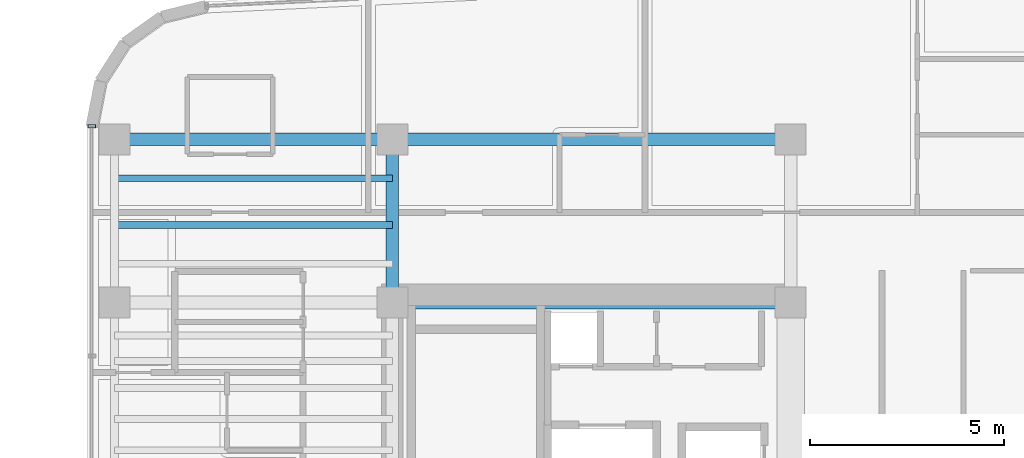
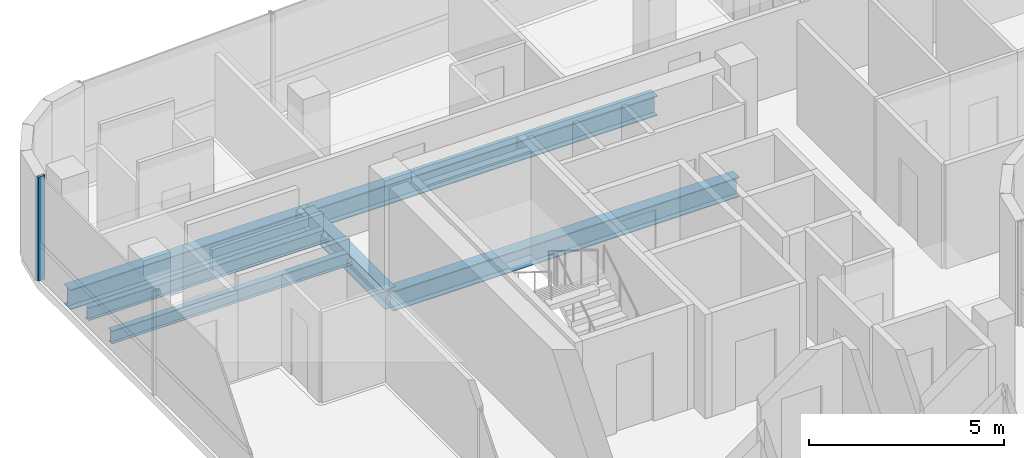
# One storey, part 7 of 19: 6 beams, 1 member, 1 element without a shape of its own.
"""IFC4 building model written with IfcOpenShell, lengths in metres."""

from ifc_helpers import new_model, si_unit, direction, frame, origin, origin_2d, place, context, subcontext, project, spatial, hollow_rectangle, i_section, extrude, source, transform, mapped, material, material_profile, profile_set, type_object, element, aggregate, save


model = new_model("IFC4")

# Units and contexts
model_context = context("Model", 3, precision=1e-05, world=origin(), true_north=direction((0.0, 1.0)))
body_context = subcontext(model_context, "Body", "Model", "MODEL_VIEW")
ifc_project = project(units=[si_unit("LENGTHUNIT", "METRE"), si_unit("AREAUNIT", "SQUARE_METRE"), si_unit("VOLUMEUNIT", "CUBIC_METRE"), si_unit("PLANEANGLEUNIT", "RADIAN"), si_unit("MASSUNIT", "GRAM", prefix="KILO")], contexts=[model_context])

# Site, building, storey
site_placement = place(None, origin())
site = spatial("IfcSite", under=ifc_project, at=site_placement, CompositionType="ELEMENT")
building_placement = place(site_placement, origin())
building = spatial("IfcBuilding", under=site, at=building_placement, Name="Valdorenza Pilgrim Sanctuary Tower", CompositionType="ELEMENT")
storey_placement = place(building_placement, frame((0.0, 0.0, 269.5)))
storey = spatial("IfcBuildingStorey", under=building, at=storey_placement, Name="L70", CompositionType="ELEMENT", Elevation=269.5)

# Beams
ifc_material_1 = material(Name="Steel ASTM A992 Grade 50", Category="steel")
ifc_material_profile_1 = material_profile(ifc_material_1, i_section(OverallWidth=0.323974609375, OverallDepth=0.611083984375, WebThickness=0.0126953125, FlangeThickness=0.01904296875, at=origin_2d()), Name="W24X104")
ifc_profile_set_1 = profile_set([ifc_material_profile_1], Name="Steel ASTM A992 Grade 50")
beam_type_1 = type_object("IfcBeamType", Name="STR-BM-GRD-W24B", PredefinedType="BEAM", material=ifc_profile_set_1)
shared_shape_1 = source(origin(), body_context, "Body", "SweptSolid", [
    extrude(i_section(OverallWidth=0.323974609375, OverallDepth=0.611083984375, WebThickness=0.0126953125, FlangeThickness=0.01904296875, at=origin_2d()), origin(), (0.0, 0.0, 1.0), 4.199951171875),
])
beam_1_placement = place(storey_placement, frame((-22.64990234375, 10.60009765625, -0.54541015625), z_axis=(0.0, 1.0, 0.0), x_axis=(-1.0, 0.0, 0.0)))
element("IfcBeam", 1, at=beam_1_placement, inside=storey, type_object=beam_type_1, Name="L70 Core Tie Girder CA-W-N1N2", PredefinedType="BEAM", context=body_context, shape_type="MappedRepresentation", body=[
    mapped(shared_shape_1, transform((0.0, 0.0, 0.0), x_axis=(1.0, 0.0, 0.0), y_axis=(0.0, 1.0, 0.0), z_axis=(0.0, 0.0, 1.0), scale=1.0)),
])
ifc_material_profile_2 = material_profile(ifc_material_1, i_section(OverallWidth=0.177978515625, OverallDepth=0.406005859375, WebThickness=0.0078125, FlangeThickness=0.0126953125, at=origin_2d()), Name="W16X40")
ifc_profile_set_2 = profile_set([ifc_material_profile_2], Name="Steel ASTM A992 Grade 50")
beam_type_2 = type_object("IfcBeamType", Name="STR-BM-JST-W16", PredefinedType="JOIST", material=ifc_profile_set_2)
shared_shape_2 = source(origin(), body_context, "Body", "SweptSolid", [
    extrude(i_section(OverallWidth=0.177978515625, OverallDepth=0.406005859375, WebThickness=0.0078125, FlangeThickness=0.0126953125, at=origin_2d()), origin(), (0.0, 0.0, 1.0), 7.150146484375),
])
for number, where, z_axis, x_axis, name in (
    (2, (-29.800048828125, 12.60009765625, -0.443115234375), (1.0, 0.0, 0.0), (0.0, 1.0, 0.0), "L70 Composite Floor Joist JST-WA-25"),
    (3, (-29.800048828125, 13.800048828125, -0.443115234375), (1.0, 0.0, 0.0), (0.0, 1.0, 0.0), "L70 Composite Floor Joist JST-WA-26"),
):
    element("IfcBeam", number, at=place(storey_placement, frame(where, z_axis=z_axis, x_axis=x_axis)), inside=storey, type_object=beam_type_2, Name=name, PredefinedType="JOIST", context=body_context, shape_type="MappedRepresentation", body=[
        mapped(shared_shape_2, transform((0.0, 0.0, 0.0), x_axis=(1.0, 0.0, 0.0), y_axis=(0.0, 1.0, 0.0), z_axis=(0.0, 0.0, 1.0), scale=1.0)),
    ])
ifc_material_profile_3 = material_profile(ifc_material_1, i_section(OverallWidth=0.326904296875, OverallDepth=0.6220703125, WebThickness=0.015380859375, FlangeThickness=0.0244140625, at=origin_2d()), Name="W24X131")
ifc_profile_set_3 = profile_set([ifc_material_profile_3], Name="Steel ASTM A992 Grade 50")
beam_type_3 = type_object("IfcBeamType", Name="STR-BM-GRD-W24A", PredefinedType="BEAM", material=ifc_profile_set_3)
shared_shape_3 = source(origin(), body_context, "Body", "SweptSolid", [
    extrude(i_section(OverallWidth=0.326904296875, OverallDepth=0.6220703125, WebThickness=0.015380859375, FlangeThickness=0.0244140625, at=origin_2d()), origin(), (0.0, 0.0, 1.0), 7.150146484375),
])
beam_2_placement = place(storey_placement, frame((-29.800048828125, 14.800048828125, -0.551025390625), z_axis=(1.0, 0.0, 0.0), x_axis=(0.0, 1.0, 0.0)))
element("IfcBeam", 4, at=beam_2_placement, inside=storey, type_object=beam_type_3, Name="L70 Floor Girder WA-XW-N2", PredefinedType="BEAM", context=body_context, shape_type="MappedRepresentation", body=[
    mapped(shared_shape_3, transform((0.0, 0.0, 0.0), x_axis=(1.0, 0.0, 0.0), y_axis=(0.0, 1.0, 0.0), z_axis=(0.0, 0.0, 1.0), scale=1.0)),
])
shared_shape_4 = source(origin(), body_context, "Body", "SweptSolid", [
    extrude(i_section(OverallWidth=0.326904296875, OverallDepth=0.6220703125, WebThickness=0.015380859375, FlangeThickness=0.0244140625, at=origin_2d()), origin(), (0.0, 0.0, 1.0), 10.25),
])
for number, where, z_axis, x_axis, name in (
    (5, (-22.64990234375, 10.60009765625, -0.551025390625), (1.0, 0.0, 0.0), (0.0, 1.0, 0.0), "L70 Floor Girder CA-XC-N1"),
    (6, (-22.64990234375, 14.800048828125, -0.551025390625), (1.0, 0.0, 0.0), (0.0, 1.0, 0.0), "L70 Floor Girder CA-XC-N2"),
):
    element("IfcBeam", number, at=place(storey_placement, frame(where, z_axis=z_axis, x_axis=x_axis)), inside=storey, type_object=beam_type_3, Name=name, PredefinedType="BEAM", context=body_context, shape_type="MappedRepresentation", body=[
        mapped(shared_shape_4, transform((0.0, 0.0, 0.0), x_axis=(1.0, 0.0, 0.0), y_axis=(0.0, 1.0, 0.0), z_axis=(0.0, 0.0, 1.0), scale=1.0)),
    ])

# Curtain wall, member
ifc_material_2 = material(Name="Curtain-wall IGU glazing", Category="glass")
curtain_wall_type = type_object("IfcCurtainWallType", Name="CW-SYS-02", PredefinedType="NOTDEFINED", material=ifc_material_2)
curtain_wall_placement = place(storey_placement, origin())
curtain_wall = element("IfcCurtainWall", 7, at=curtain_wall_placement, inside=storey, type_object=curtain_wall_type, Name="L70 Curtain Wall CW-L70-1-1S2", PredefinedType="NOTDEFINED")
ifc_material_3 = material(Name="Anodised aluminium AW-6060", Category="aluminium")
ifc_material_profile_4 = material_profile(ifc_material_3, hollow_rectangle(XDim=0.0849609375, YDim=0.199951171875, WallThickness=0.0048828125, at=origin_2d()), Name="ALU-M 200x85x5")
ifc_profile_set_4 = profile_set([ifc_material_profile_4], Name="Anodised aluminium AW-6060")
member_type = type_object("IfcMemberType", Name="CW-MUL-02", PredefinedType="MULLION", material=ifc_profile_set_4)
shared_shape_5 = source(origin(), body_context, "Body", "SweptSolid", [
    extrude(hollow_rectangle(XDim=0.0849609375, YDim=0.199951171875, WallThickness=0.0048828125, at=origin_2d()), origin(), (0.0, 0.0, 1.0), 3.260009765625),
])
member_placement = place(storey_placement, frame((-30.389892578125, 15.13671875, 0.0), z_axis=(0.0, 0.0, 1.0), x_axis=(0.0, 1.0, 0.0)))
member = element("IfcMember", 8, at=member_placement, type_object=member_type, Name="CW-L70-1-1S2 Mullion 4", PredefinedType="MULLION", context=body_context, shape_type="MappedRepresentation", body=[
    mapped(shared_shape_5, transform((0.0, 0.0, 0.0), x_axis=(1.0, 0.0, 0.0), y_axis=(0.0, 1.0, 0.0), z_axis=(0.0, 0.0, 1.0), scale=1.0)),
])
aggregate(curtain_wall, [member])

save(model, "model.ifc")
